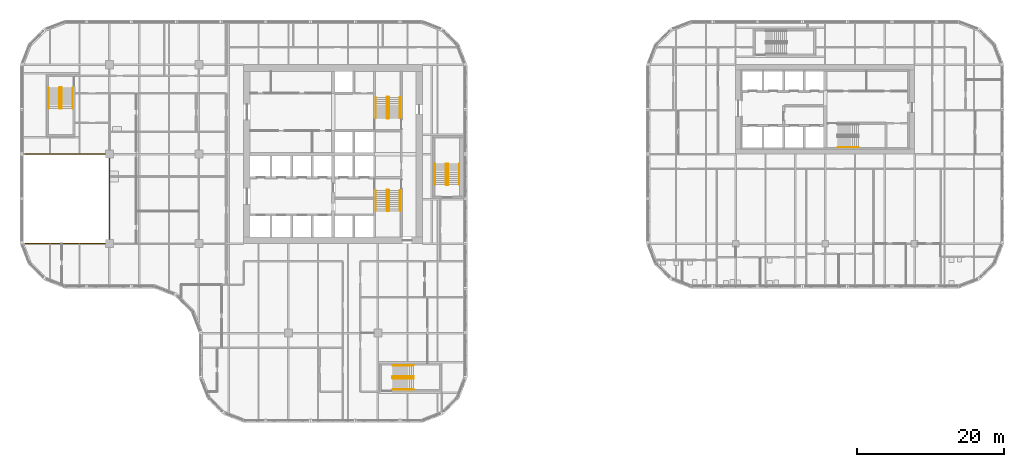
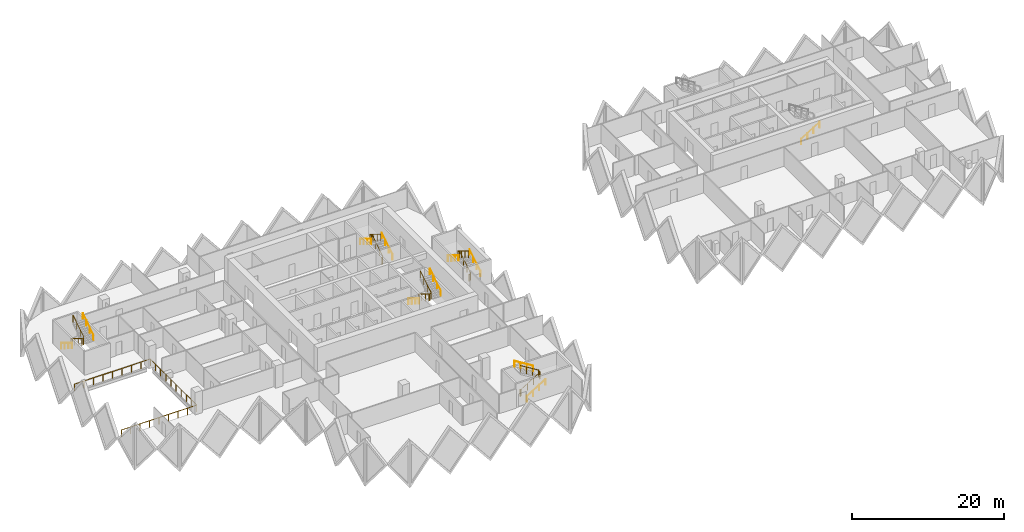
# One storey, part 18 of 20: 17 railings.
"""IFC4 building model written with IfcOpenShell, lengths in metres."""

import ifcopenshell
import ifcopenshell.guid

model = None  # the IFC model being written
_history = None  # IfcOwnerHistory: only IFC2X3 demands one
_inside = {}  # id of a spatial element -> (the spatial element, [elements in it])
_under = {}  # id of a project, library or spatial element -> (it, [spatial elements below it])
_declared = {}  # id of a project -> (the project, [libraries it declares])
_typed = {}  # id of a type object -> (the type object, [elements of that type])
_made_of = {}  # id of a material, layer set ... -> (it, [elements and type objects made of it])


def new_model(schema):
    """Start an empty IFC model of exactly this schema.

    Asked for "IFC4X3", IfcOpenShell would pick the latest addendum, in which some entities
    have other attributes; the version numbers below select the first issue.
    IFC2X3 requires an IfcOwnerHistory on every rooted entity: one is made here for all.
    """
    global model, _history
    if schema == "IFC4X3":
        model = ifcopenshell.file(schema_version=(4, 3, 0, 0))
    else:
        model = ifcopenshell.file(schema=schema)
    _inside.clear()
    _under.clear()
    _declared.clear()
    _typed.clear()
    _made_of.clear()
    _history = None
    if model.schema == "IFC2X3":
        org = make("IfcOrganization", Name="unknown")
        user = make(
            "IfcPersonAndOrganization",
            ThePerson=make("IfcPerson", FamilyName="unknown"),
            TheOrganization=org,
        )
        app = make(
            "IfcApplication",
            ApplicationDeveloper=org,
            Version="unknown",
            ApplicationFullName="unknown",
            ApplicationIdentifier="unknown",
        )
        _history = make(
            "IfcOwnerHistory",
            OwningUser=user,
            OwningApplication=app,
            ChangeAction="ADDED",
            CreationDate=0,
        )
    return model


def make(cls, **values):
    """One entity of the class cls with the attributes given. An attribute that is None is left unset."""
    return model.create_entity(
        cls, **{name: value for name, value in values.items() if value is not None}
    )


def rooted(cls, **values):
    """An entity with a GlobalId (a new one), such as an element, a storey or a relation."""
    return make(cls, GlobalId=ifcopenshell.guid.new(), OwnerHistory=_history, **values)


def si_unit(unit_type, name, prefix=None):
    """IfcSIUnit, for example si_unit("LENGTHUNIT", "METRE", prefix="MILLI")."""
    return make("IfcSIUnit", UnitType=unit_type, Prefix=prefix, Name=name)


def assignment(units):
    """IfcUnitAssignment: the units of a project."""
    return None if units is None else make("IfcUnitAssignment", Units=units)


def point(xyz):
    """IfcCartesianPoint."""
    return None if xyz is None else make("IfcCartesianPoint", Coordinates=xyz)


def direction(xyz):
    """IfcDirection."""
    return None if xyz is None else make("IfcDirection", DirectionRatios=xyz)


def frame(location, z_axis=None, x_axis=None):
    """IfcAxis2Placement3D, a coordinate frame: its origin and axes. An axis left out is left unset."""
    return make(
        "IfcAxis2Placement3D",
        Location=point(location),
        Axis=direction(z_axis),
        RefDirection=direction(x_axis),
    )


def frame_2d(location, x_axis=None):
    """IfcAxis2Placement2D, a coordinate frame in the plane: its origin and x axis."""
    return make(
        "IfcAxis2Placement2D", Location=point(location), RefDirection=direction(x_axis)
    )


def origin():
    """The frame at (0, 0, 0) with its axes left unset."""
    return frame((0.0, 0.0, 0.0))


def origin_2d():
    """The frame at (0, 0) in the plane with its x axis left unset."""
    return frame_2d((0.0, 0.0))


def place(relative_to, where):
    """IfcLocalPlacement: puts the frame where relative to a parent placement (None: the world)."""
    return make(
        "IfcLocalPlacement", PlacementRelTo=relative_to, RelativePlacement=where
    )


def context(
    kind, dimensions, precision=None, world=None, true_north=None, identifier=None
):
    """IfcGeometricRepresentationContext, for example the 3D "Model" context."""
    return make(
        "IfcGeometricRepresentationContext",
        ContextIdentifier=identifier,
        ContextType=kind,
        CoordinateSpaceDimension=dimensions,
        Precision=precision,
        WorldCoordinateSystem=world,
        TrueNorth=true_north,
    )


def subcontext(parent, identifier, kind, view, scale=None):
    """IfcGeometricRepresentationSubContext, for example "Body" below "Model"."""
    return make(
        "IfcGeometricRepresentationSubContext",
        ContextIdentifier=identifier,
        ContextType=kind,
        ParentContext=parent,
        TargetScale=scale,
        TargetView=view,
    )


def project(units=None, contexts=None):
    """IfcProject with its units and contexts."""
    return rooted(
        "IfcProject",
        Name="project",
        RepresentationContexts=contexts,
        UnitsInContext=assignment(units),
    )


def spatial(cls, under=None, at=None, **own):
    """A site, building, storey or space (cls), placed at a placement, below another one or the project."""
    s = rooted(cls, ObjectPlacement=at, **own)
    if under is not None:
        _under.setdefault(under.id(), (under, []))[1].append(s)
    return s


def profile(cls, at=None, kind="AREA", **sizes):
    """A parametric profile (cls). Its sizes go by their IFC names, for example OverallWidth=200.0."""
    return make(cls, ProfileType=kind, Position=at, **sizes)


def circle(**sizes):
    """IfcCircleProfileDef."""
    return profile("IfcCircleProfileDef", **sizes)


def extrude(swept, where, along, depth):
    """IfcExtrudedAreaSolid: the profile swept, set in the frame where, extruded along a direction by depth."""
    return make(
        "IfcExtrudedAreaSolid",
        SweptArea=swept,
        Position=where,
        ExtrudedDirection=direction(along),
        Depth=depth,
    )


def shape(context_of_items, identifier, shape_type, items):
    """IfcShapeRepresentation: the items that make up one representation, for example the "Body"."""
    return make(
        "IfcShapeRepresentation",
        ContextOfItems=context_of_items,
        RepresentationIdentifier=identifier,
        RepresentationType=shape_type,
        Items=items,
    )


def material(Name=None, Category=None):
    """IfcMaterial."""
    return make("IfcMaterial", Name=Name, Category=Category)


def made_of(thing, what):
    """Note that an element or type object is made of a material, layer set ...; save() writes the relation."""
    if what is not None:
        _made_of.setdefault(what.id(), (what, []))[1].append(thing)
    return thing


def type_object(cls, material=None, **own):
    """A type object (cls), such as IfcWallType, which elements share."""
    return made_of(rooted(cls, **own), material)


def element(
    cls,
    number,
    at=None,
    inside=None,
    cuts=None,
    type_object=None,
    material=None,
    context=None,
    identifier="Body",
    shape_type=None,
    held_by="IfcProductDefinitionShape",
    body=None,
    shapes=None,
    **own,
):
    """One element of the class cls, such as IfcWall. Its Tag is "e" and its number.

    at: its placement. inside: the storey or other place that contains it. cuts: it is an
    opening in that element (IfcRelVoidsElement). A single representation is given by context,
    identifier, shape_type and body (its items); several are given by shapes. held_by: the class
    of the entity that holds the representations. save() writes the other relations.
    """
    e = rooted(cls, Tag="e%d" % number, ObjectPlacement=at, **own)
    if body is not None:
        shapes = [shape(context, identifier, shape_type, body)]
    if shapes is not None:
        e.Representation = make(held_by, Representations=shapes)
    if inside is not None:
        _inside.setdefault(inside.id(), (inside, []))[1].append(e)
    if cuts is not None:
        rooted(
            "IfcRelVoidsElement", RelatingBuildingElement=cuts, RelatedOpeningElement=e
        )
    if type_object is not None:
        _typed.setdefault(type_object.id(), (type_object, []))[1].append(e)
    return made_of(e, material)


def aggregate(whole, parts):
    """IfcRelAggregates: a whole, such as a stair, and the parts it consists of."""
    return rooted("IfcRelAggregates", RelatingObject=whole, RelatedObjects=parts)


def save(model, path):
    """Write the relations noted so far, then the file.

    IfcRelAggregates (storeys below a building ...), IfcRelContainedInSpatialStructure (elements
    in a storey), IfcRelDefinesByType, IfcRelAssociatesMaterial and IfcRelDeclares: one each for
    every whole, place, type object, material and project.
    """
    for whole, parts in _under.values():
        aggregate(whole, parts)
    for where, things in _inside.values():
        rooted(
            "IfcRelContainedInSpatialStructure",
            RelatedElements=things,
            RelatingStructure=where,
        )
    for kind, things in _typed.values():
        rooted("IfcRelDefinesByType", RelatedObjects=things, RelatingType=kind)
    for what, things in _made_of.values():
        rooted("IfcRelAssociatesMaterial", RelatedObjects=things, RelatingMaterial=what)
    for by, libraries in _declared.values():
        rooted("IfcRelDeclares", RelatingContext=by, RelatedDefinitions=libraries)
    model.write(path)


model = new_model("IFC4")

# Units and contexts
model_context = context("Model", 3, precision=1e-05, world=origin(), true_north=direction((0.0, 1.0)))
body_context = subcontext(model_context, "Body", "Model", "MODEL_VIEW")
ifc_project = project(units=[si_unit("LENGTHUNIT", "METRE"), si_unit("AREAUNIT", "SQUARE_METRE"), si_unit("VOLUMEUNIT", "CUBIC_METRE"), si_unit("PLANEANGLEUNIT", "RADIAN"), si_unit("MASSUNIT", "GRAM", prefix="KILO")], contexts=[model_context])

# Site, building, storey
site_placement = place(None, origin())
site = spatial("IfcSite", under=ifc_project, at=site_placement, CompositionType="ELEMENT")
building_placement = place(site_placement, origin())
building = spatial("IfcBuilding", under=site, at=building_placement, Name="Tessera Gate Towers", CompositionType="ELEMENT")
storey_placement = place(building_placement, frame((0.0, 0.0, 48.60009765625)))
storey = spatial("IfcBuildingStorey", under=building, at=storey_placement, Name="L11", CompositionType="ELEMENT", Elevation=48.60009765625)

# Railings
ifc_material_1 = material(Name="Toughened glass with stainless steel handrail", Category="steel")
railing_type_1 = type_object("IfcRailingType", Name="GUARD 1100 GLASS BALUSTRADE", PredefinedType="GUARDRAIL", material=ifc_material_1)
railing_1_placement = place(storey_placement, frame((0.750244140625, 24.39990234375, 0.0)))
element("IfcRailing", 1, at=railing_1_placement, inside=storey, type_object=railing_type_1, Name="Guard", PredefinedType="GUARDRAIL", context=body_context, shape_type="SweptSolid", body=[
    extrude(circle(Radius=0.02490234375, at=origin_2d()), frame((0.0, 0.0, 1.0751953125), z_axis=(1.0, 0.0, 0.0), x_axis=(0.0, 1.0, 0.0)), (0.0, 0.0, 1.0), 11.44970703125),
    extrude(circle(Radius=0.02490234375, at=origin_2d()), frame((11.44970703125, 0.0, 1.0751953125), z_axis=(0.0, 1.0, 0.0), x_axis=(-1.0, 0.0, 0.0)), (0.0, 0.0, 1.0), 12.2001953125),
    extrude(circle(Radius=0.02490234375, at=origin_2d()), frame((11.44970703125, 12.2001953125, 1.0751953125), z_axis=(-1.0, 0.0, 0.0), x_axis=(0.0, -1.0, 0.0)), (0.0, 0.0, 1.0), 11.5),
    extrude(circle(Radius=0.02490234375, at=origin_2d()), origin(), (0.0, 0.0, 1.0), 1.050048828125),
    extrude(circle(Radius=0.02490234375, at=origin_2d()), frame((1.43115234375, 0.0, 0.0)), (0.0, 0.0, 1.0), 1.050048828125),
    extrude(circle(Radius=0.02490234375, at=origin_2d()), frame((2.8623046875, 0.0, 0.0)), (0.0, 0.0, 1.0), 1.050048828125),
    extrude(circle(Radius=0.02490234375, at=origin_2d()), frame((4.293701171875, 0.0, 0.0)), (0.0, 0.0, 1.0), 1.050048828125),
    extrude(circle(Radius=0.02490234375, at=origin_2d()), frame((5.724853515625, 0.0, 0.0)), (0.0, 0.0, 1.0), 1.050048828125),
    extrude(circle(Radius=0.02490234375, at=origin_2d()), frame((7.156005859375, 0.0, 0.0)), (0.0, 0.0, 1.0), 1.050048828125),
    extrude(circle(Radius=0.02490234375, at=origin_2d()), frame((8.58740234375, 0.0, 0.0)), (0.0, 0.0, 1.0), 1.050048828125),
    extrude(circle(Radius=0.02490234375, at=origin_2d()), frame((10.0185546875, 0.0, 0.0)), (0.0, 0.0, 1.0), 1.050048828125),
    extrude(circle(Radius=0.02490234375, at=origin_2d()), frame((11.44970703125, 0.0, 0.0)), (0.0, 0.0, 1.0), 1.050048828125),
    extrude(circle(Radius=0.02490234375, at=origin_2d()), frame((11.44970703125, 1.35546875, 0.0)), (0.0, 0.0, 1.0), 1.050048828125),
    extrude(circle(Radius=0.02490234375, at=origin_2d()), frame((11.44970703125, 2.711181640625, 0.0)), (0.0, 0.0, 1.0), 1.050048828125),
    extrude(circle(Radius=0.02490234375, at=origin_2d()), frame((11.44970703125, 4.066650390625, 0.0)), (0.0, 0.0, 1.0), 1.050048828125),
    extrude(circle(Radius=0.02490234375, at=origin_2d()), frame((11.44970703125, 5.42236328125, 0.0)), (0.0, 0.0, 1.0), 1.050048828125),
    extrude(circle(Radius=0.02490234375, at=origin_2d()), frame((11.44970703125, 6.77783203125, 0.0)), (0.0, 0.0, 1.0), 1.050048828125),
    extrude(circle(Radius=0.02490234375, at=origin_2d()), frame((11.44970703125, 8.133544921875, 0.0)), (0.0, 0.0, 1.0), 1.050048828125),
    extrude(circle(Radius=0.02490234375, at=origin_2d()), frame((11.44970703125, 9.489013671875, 0.0)), (0.0, 0.0, 1.0), 1.050048828125),
    extrude(circle(Radius=0.02490234375, at=origin_2d()), frame((11.44970703125, 10.8447265625, 0.0)), (0.0, 0.0, 1.0), 1.050048828125),
    extrude(circle(Radius=0.02490234375, at=origin_2d()), frame((11.44970703125, 12.2001953125, 0.0)), (0.0, 0.0, 1.0), 1.050048828125),
    extrude(circle(Radius=0.02490234375, at=origin_2d()), frame((10.01220703125, 12.2001953125, 0.0)), (0.0, 0.0, 1.0), 1.050048828125),
    extrude(circle(Radius=0.02490234375, at=origin_2d()), frame((8.57470703125, 12.2001953125, 0.0)), (0.0, 0.0, 1.0), 1.050048828125),
    extrude(circle(Radius=0.02490234375, at=origin_2d()), frame((7.13720703125, 12.2001953125, 0.0)), (0.0, 0.0, 1.0), 1.050048828125),
    extrude(circle(Radius=0.02490234375, at=origin_2d()), frame((5.69970703125, 12.2001953125, 0.0)), (0.0, 0.0, 1.0), 1.050048828125),
    extrude(circle(Radius=0.02490234375, at=origin_2d()), frame((4.26220703125, 12.2001953125, 0.0)), (0.0, 0.0, 1.0), 1.050048828125),
    extrude(circle(Radius=0.02490234375, at=origin_2d()), frame((2.82470703125, 12.2001953125, 0.0)), (0.0, 0.0, 1.0), 1.050048828125),
    extrude(circle(Radius=0.02490234375, at=origin_2d()), frame((1.38720703125, 12.2001953125, 0.0)), (0.0, 0.0, 1.0), 1.050048828125),
    extrude(circle(Radius=0.02490234375, at=origin_2d()), frame((-0.05029296875, 12.2001953125, 0.0)), (0.0, 0.0, 1.0), 1.050048828125),
])
ifc_material_2 = material(Name="Steel 350W", Category="steel")
railing_type_2 = type_object("IfcRailingType", Name="STAIR GUARD 1100", PredefinedType="GUARDRAIL", material=ifc_material_2)
railing_2_placement = place(storey_placement, frame((50.27490234375, 31.72509765625, 0.0)))
element("IfcRailing", 2, at=railing_2_placement, inside=storey, type_object=railing_type_2, Name="L11 ST1 stair guard 1", PredefinedType="GUARDRAIL", context=body_context, shape_type="SweptSolid", body=[
    extrude(circle(Radius=0.02392578125, at=origin_2d()), frame((0.0, 0.0, 1.076171875), z_axis=(-1.0, 0.0, 0.0), x_axis=(0.0, -1.0, 0.0)), (0.0, 0.0, 1.0), 0.199951171875),
    extrude(circle(Radius=0.02392578125, at=origin_2d()), frame((-0.199951171875, 0.0, 1.076171875), z_axis=(-0.268277960024, -0.268277960024, 0.925231793839), x_axis=(0.707106781187, -0.707106781187, 0.0)), (0.0, 0.0, 1.0), 0.1865234375),
    extrude(circle(Radius=0.02392578125, at=origin_2d()), frame((-0.25, -0.050048828125, 1.24853515625), z_axis=(0.0, -0.851089632645, 0.525020415988), x_axis=(1.0, 0.0, 0.0)), (0.0, 0.0, 1.0), 3.2900390625),
    extrude(circle(Radius=0.02392578125, at=origin_2d()), frame((-0.25, -2.85009765625, 2.97607421875), z_axis=(0.707106781187, -0.707106781187, 0.0), x_axis=(0.707106781187, 0.707106781187, 0.0)), (0.0, 0.0, 1.0), 0.07080078125),
    extrude(circle(Radius=0.02392578125, at=origin_2d()), frame((-0.199951171875, -2.900146484375, 2.97607421875), z_axis=(1.0, 0.0, 0.0), x_axis=(0.0, 1.0, 0.0)), (0.0, 0.0, 1.0), 0.199951171875),
    extrude(circle(Radius=0.02392578125, at=origin_2d()), frame((0.0, -2.900146484375, 2.97607421875), z_axis=(0.268277960024, 0.268277960024, 0.925231793839), x_axis=(-0.707106781187, 0.707106781187, 0.0)), (0.0, 0.0, 1.0), 0.1865234375),
    extrude(circle(Radius=0.02392578125, at=origin_2d()), frame((0.050048828125, -2.85009765625, 3.1484375), z_axis=(0.0, 0.851089632645, 0.525020415988), x_axis=(-1.0, 0.0, 0.0)), (0.0, 0.0, 1.0), 3.2900390625),
    extrude(circle(Radius=0.02099609375, at=origin_2d()), origin(), (0.0, 0.0, 1.0), 1.052001953125),
    extrude(circle(Radius=0.02099609375, at=origin_2d()), frame((-0.199951171875, 0.0, 0.0)), (0.0, 0.0, 1.0), 1.052001953125),
    extrude(circle(Radius=0.02099609375, at=origin_2d()), frame((-0.25, -0.050048828125, 0.172607421875)), (0.0, 0.0, 1.0), 1.052001953125),
    extrude(circle(Radius=0.02099609375, at=origin_2d()), frame((-0.25, -0.9833984375, 0.748291015625)), (0.0, 0.0, 1.0), 1.052001953125),
    extrude(circle(Radius=0.02099609375, at=origin_2d()), frame((-0.25, -1.916748046875, 1.32421875)), (0.0, 0.0, 1.0), 1.052001953125),
    extrude(circle(Radius=0.02099609375, at=origin_2d()), frame((-0.25, -2.85009765625, 1.89990234375)), (0.0, 0.0, 1.0), 1.052001953125),
    extrude(circle(Radius=0.02099609375, at=origin_2d()), frame((-0.199951171875, -2.900146484375, 1.89990234375)), (0.0, 0.0, 1.0), 1.052001953125),
    extrude(circle(Radius=0.02099609375, at=origin_2d()), frame((0.0, -2.900146484375, 1.89990234375)), (0.0, 0.0, 1.0), 1.052001953125),
    extrude(circle(Radius=0.02099609375, at=origin_2d()), frame((0.050048828125, -2.85009765625, 2.072509765625)), (0.0, 0.0, 1.0), 1.052001953125),
    extrude(circle(Radius=0.02099609375, at=origin_2d()), frame((0.050048828125, -1.916748046875, 2.648193359375)), (0.0, 0.0, 1.0), 1.052001953125),
    extrude(circle(Radius=0.02099609375, at=origin_2d()), frame((0.050048828125, -0.9833984375, 3.22412109375)), (0.0, 0.0, 1.0), 1.052001953125),
    extrude(circle(Radius=0.02099609375, at=origin_2d()), frame((0.050048828125, -0.050048828125, 3.7998046875)), (0.0, 0.0, 1.0), 1.052001953125),
])
railing_3_placement = place(storey_placement, frame((50.074951171875, 41.47509765625, 0.0)))
element("IfcRailing", 3, at=railing_3_placement, inside=storey, type_object=railing_type_2, Name="L11 ST2 stair guard 1", PredefinedType="GUARDRAIL", context=body_context, shape_type="SweptSolid", body=[
    extrude(circle(Radius=0.02392578125, at=origin_2d()), frame((0.0, 0.0, 1.076171875), z_axis=(1.0, 0.0, 0.0), x_axis=(0.0, 1.0, 0.0)), (0.0, 0.0, 1.0), 0.199951171875),
    extrude(circle(Radius=0.02392578125, at=origin_2d()), frame((0.199951171875, 0.0, 1.076171875), z_axis=(0.268371968888, 0.267062837333, 0.925556009775), x_axis=(-0.705375805398, 0.708833529934, 0.0)), (0.0, 0.0, 1.0), 0.1865234375),
    extrude(circle(Radius=0.02392578125, at=origin_2d()), frame((0.25, 0.0498046875, 1.24853515625), z_axis=(0.0, 0.851089632645, 0.525020415988), x_axis=(-1.0, 0.0, 0.0)), (0.0, 0.0, 1.0), 3.2900390625),
    extrude(circle(Radius=0.02392578125, at=origin_2d()), frame((0.25, 2.849853515625, 2.97607421875), z_axis=(-0.707106781187, 0.707106781187, 0.0), x_axis=(-0.707106781187, -0.707106781187, 0.0)), (0.0, 0.0, 1.0), 0.07080078125),
    extrude(circle(Radius=0.02392578125, at=origin_2d()), frame((0.199951171875, 2.89990234375, 2.97607421875), z_axis=(-1.0, 0.0, 0.0), x_axis=(0.0, -1.0, 0.0)), (0.0, 0.0, 1.0), 0.199951171875),
    extrude(circle(Radius=0.02392578125, at=origin_2d()), frame((0.0, 2.89990234375, 2.97607421875), z_axis=(-0.268277960024, -0.268277960024, 0.925231793839), x_axis=(0.707106781187, -0.707106781187, 0.0)), (0.0, 0.0, 1.0), 0.1865234375),
    extrude(circle(Radius=0.02392578125, at=origin_2d()), frame((-0.050048828125, 2.849853515625, 3.1484375), z_axis=(0.0, -0.851089632645, 0.525020415988), x_axis=(1.0, 0.0, 0.0)), (0.0, 0.0, 1.0), 3.2900390625),
    extrude(circle(Radius=0.02099609375, at=origin_2d()), origin(), (0.0, 0.0, 1.0), 1.052001953125),
    extrude(circle(Radius=0.02099609375, at=origin_2d()), frame((0.199951171875, 0.0, 0.0)), (0.0, 0.0, 1.0), 1.052001953125),
    extrude(circle(Radius=0.02099609375, at=origin_2d()), frame((0.25, 0.0498046875, 0.172607421875)), (0.0, 0.0, 1.0), 1.052001953125),
    extrude(circle(Radius=0.02099609375, at=origin_2d()), frame((0.25, 0.983154296875, 0.748291015625)), (0.0, 0.0, 1.0), 1.052001953125),
    extrude(circle(Radius=0.02099609375, at=origin_2d()), frame((0.25, 1.91650390625, 1.32421875)), (0.0, 0.0, 1.0), 1.052001953125),
    extrude(circle(Radius=0.02099609375, at=origin_2d()), frame((0.25, 2.849853515625, 1.89990234375)), (0.0, 0.0, 1.0), 1.052001953125),
    extrude(circle(Radius=0.02099609375, at=origin_2d()), frame((0.199951171875, 2.89990234375, 1.89990234375)), (0.0, 0.0, 1.0), 1.052001953125),
    extrude(circle(Radius=0.02099609375, at=origin_2d()), frame((0.0, 2.89990234375, 1.89990234375)), (0.0, 0.0, 1.0), 1.052001953125),
    extrude(circle(Radius=0.02099609375, at=origin_2d()), frame((-0.050048828125, 2.849853515625, 2.072509765625)), (0.0, 0.0, 1.0), 1.052001953125),
    extrude(circle(Radius=0.02099609375, at=origin_2d()), frame((-0.050048828125, 1.91650390625, 2.648193359375)), (0.0, 0.0, 1.0), 1.052001953125),
    extrude(circle(Radius=0.02099609375, at=origin_2d()), frame((-0.050048828125, 0.983154296875, 3.22412109375)), (0.0, 0.0, 1.0), 1.052001953125),
    extrude(circle(Radius=0.02099609375, at=origin_2d()), frame((-0.050048828125, 0.0498046875, 3.7998046875)), (0.0, 0.0, 1.0), 1.052001953125),
])
railing_4_placement = place(storey_placement, frame((5.64990234375, 45.699951171875, 0.0)))
element("IfcRailing", 4, at=railing_4_placement, inside=storey, type_object=railing_type_2, Name="L11 ST3 stair guard 1", PredefinedType="GUARDRAIL", context=body_context, shape_type="SweptSolid", body=[
    extrude(circle(Radius=0.02392578125, at=origin_2d()), frame((0.0, 0.0, 1.076171875), z_axis=(-1.0, 0.0, 0.0), x_axis=(0.0, -1.0, 0.0)), (0.0, 0.0, 1.0), 0.199951171875),
    extrude(circle(Radius=0.02392578125, at=origin_2d()), frame((-0.199951171875, 0.0, 1.076171875), z_axis=(-0.268277960024, -0.268277960024, 0.925231793839), x_axis=(0.707106781187, -0.707106781187, 0.0)), (0.0, 0.0, 1.0), 0.1865234375),
    extrude(circle(Radius=0.02392578125, at=origin_2d()), frame((-0.25, -0.050048828125, 1.24853515625), z_axis=(0.0, -0.851069175582, 0.525053576669), x_axis=(1.0, 0.0, 0.0)), (0.0, 0.0, 1.0), 3.289794921875),
    extrude(circle(Radius=0.02392578125, at=origin_2d()), frame((-0.25, -2.849853515625, 2.97607421875), z_axis=(0.707106781187, -0.707106781187, 0.0), x_axis=(0.707106781187, 0.707106781187, 0.0)), (0.0, 0.0, 1.0), 0.07080078125),
    extrude(circle(Radius=0.02392578125, at=origin_2d()), frame((-0.199951171875, -2.89990234375, 2.97607421875), z_axis=(1.0, 0.0, 0.0), x_axis=(0.0, 1.0, 0.0)), (0.0, 0.0, 1.0), 0.199951171875),
    extrude(circle(Radius=0.02392578125, at=origin_2d()), frame((0.0, -2.89990234375, 2.97607421875), z_axis=(0.268277960024, 0.268277960024, 0.925231793839), x_axis=(-0.707106781187, 0.707106781187, 0.0)), (0.0, 0.0, 1.0), 0.1865234375),
    extrude(circle(Radius=0.02392578125, at=origin_2d()), frame((0.050048828125, -2.849853515625, 3.1484375), z_axis=(0.0, 0.851069175582, 0.525053576669), x_axis=(-1.0, 0.0, 0.0)), (0.0, 0.0, 1.0), 3.289794921875),
    extrude(circle(Radius=0.02099609375, at=origin_2d()), origin(), (0.0, 0.0, 1.0), 1.052001953125),
    extrude(circle(Radius=0.02099609375, at=origin_2d()), frame((-0.199951171875, 0.0, 0.0)), (0.0, 0.0, 1.0), 1.052001953125),
    extrude(circle(Radius=0.02099609375, at=origin_2d()), frame((-0.25, -0.050048828125, 0.172607421875)), (0.0, 0.0, 1.0), 1.052001953125),
    extrude(circle(Radius=0.02099609375, at=origin_2d()), frame((-0.25, -0.9833984375, 0.748291015625)), (0.0, 0.0, 1.0), 1.052001953125),
    extrude(circle(Radius=0.02099609375, at=origin_2d()), frame((-0.25, -1.91650390625, 1.32421875)), (0.0, 0.0, 1.0), 1.052001953125),
    extrude(circle(Radius=0.02099609375, at=origin_2d()), frame((-0.25, -2.849853515625, 1.89990234375)), (0.0, 0.0, 1.0), 1.052001953125),
    extrude(circle(Radius=0.02099609375, at=origin_2d()), frame((-0.199951171875, -2.89990234375, 1.89990234375)), (0.0, 0.0, 1.0), 1.052001953125),
    extrude(circle(Radius=0.02099609375, at=origin_2d()), frame((0.0, -2.89990234375, 1.89990234375)), (0.0, 0.0, 1.0), 1.052001953125),
    extrude(circle(Radius=0.02099609375, at=origin_2d()), frame((0.050048828125, -2.849853515625, 2.072509765625)), (0.0, 0.0, 1.0), 1.052001953125),
    extrude(circle(Radius=0.02099609375, at=origin_2d()), frame((0.050048828125, -1.91650390625, 2.648193359375)), (0.0, 0.0, 1.0), 1.052001953125),
    extrude(circle(Radius=0.02099609375, at=origin_2d()), frame((0.050048828125, -0.9833984375, 3.22412109375)), (0.0, 0.0, 1.0), 1.052001953125),
    extrude(circle(Radius=0.02099609375, at=origin_2d()), frame((0.050048828125, -0.050048828125, 3.7998046875)), (0.0, 0.0, 1.0), 1.052001953125),
])
railing_5_placement = place(storey_placement, frame((50.800048828125, 6.25, 0.0)))
element("IfcRailing", 5, at=railing_5_placement, inside=storey, type_object=railing_type_2, Name="L11 ST4 stair guard 1", PredefinedType="GUARDRAIL", context=body_context, shape_type="SweptSolid", body=[
    extrude(circle(Radius=0.02392578125, at=origin_2d()), frame((0.0, 0.0, 1.076171875), z_axis=(0.0, -1.0, 0.0), x_axis=(1.0, 0.0, 0.0)), (0.0, 0.0, 1.0), 0.199951171875),
    extrude(circle(Radius=0.02392578125, at=origin_2d()), frame((0.0, -0.199951171875, 1.076171875), z_axis=(0.268277960024, -0.268277960024, 0.925231793839), x_axis=(0.707106781187, 0.707106781187, 0.0)), (0.0, 0.0, 1.0), 0.1865234375),
    extrude(circle(Radius=0.02392578125, at=origin_2d()), frame((0.050048828125, -0.25, 1.24853515625), z_axis=(0.851069175582, 0.0, 0.525053576669), x_axis=(0.0, 1.0, 0.0)), (0.0, 0.0, 1.0), 3.289794921875),
    extrude(circle(Radius=0.02392578125, at=origin_2d()), frame((2.849853515625, -0.25, 2.97607421875), z_axis=(0.707106781187, 0.707106781187, 0.0), x_axis=(-0.707106781187, 0.707106781187, 0.0)), (0.0, 0.0, 1.0), 0.07080078125),
    extrude(circle(Radius=0.02392578125, at=origin_2d()), frame((2.89990234375, -0.199951171875, 2.97607421875), z_axis=(0.0, 1.0, 0.0), x_axis=(-1.0, 0.0, 0.0)), (0.0, 0.0, 1.0), 0.199951171875),
    extrude(circle(Radius=0.02392578125, at=origin_2d()), frame((2.89990234375, 0.0, 2.97607421875), z_axis=(-0.268277960024, 0.268277960024, 0.925231793839), x_axis=(-0.707106781187, -0.707106781187, 0.0)), (0.0, 0.0, 1.0), 0.1865234375),
    extrude(circle(Radius=0.02392578125, at=origin_2d()), frame((2.849853515625, 0.050048828125, 3.1484375), z_axis=(-0.851069175582, 0.0, 0.525053576669), x_axis=(0.0, -1.0, 0.0)), (0.0, 0.0, 1.0), 3.289794921875),
    extrude(circle(Radius=0.02099609375, at=origin_2d()), origin(), (0.0, 0.0, 1.0), 1.052001953125),
    extrude(circle(Radius=0.02099609375, at=origin_2d()), frame((0.0, -0.199951171875, 0.0)), (0.0, 0.0, 1.0), 1.052001953125),
    extrude(circle(Radius=0.02099609375, at=origin_2d()), frame((0.050048828125, -0.25, 0.172607421875)), (0.0, 0.0, 1.0), 1.052001953125),
    extrude(circle(Radius=0.02099609375, at=origin_2d()), frame((0.9833984375, -0.25, 0.748291015625)), (0.0, 0.0, 1.0), 1.052001953125),
    extrude(circle(Radius=0.02099609375, at=origin_2d()), frame((1.91650390625, -0.25, 1.32421875)), (0.0, 0.0, 1.0), 1.052001953125),
    extrude(circle(Radius=0.02099609375, at=origin_2d()), frame((2.849853515625, -0.25, 1.89990234375)), (0.0, 0.0, 1.0), 1.052001953125),
    extrude(circle(Radius=0.02099609375, at=origin_2d()), frame((2.89990234375, -0.199951171875, 1.89990234375)), (0.0, 0.0, 1.0), 1.052001953125),
    extrude(circle(Radius=0.02099609375, at=origin_2d()), frame((2.89990234375, 0.0, 1.89990234375)), (0.0, 0.0, 1.0), 1.052001953125),
    extrude(circle(Radius=0.02099609375, at=origin_2d()), frame((2.849853515625, 0.050048828125, 2.072509765625)), (0.0, 0.0, 1.0), 1.052001953125),
    extrude(circle(Radius=0.02099609375, at=origin_2d()), frame((1.91650390625, 0.050048828125, 2.648193359375)), (0.0, 0.0, 1.0), 1.052001953125),
    extrude(circle(Radius=0.02099609375, at=origin_2d()), frame((0.9833984375, 0.050048828125, 3.22412109375)), (0.0, 0.0, 1.0), 1.052001953125),
    extrude(circle(Radius=0.02099609375, at=origin_2d()), frame((0.050048828125, 0.050048828125, 3.7998046875)), (0.0, 0.0, 1.0), 1.052001953125),
])
railing_6_placement = place(storey_placement, frame((58.14990234375, 32.39990234375, 0.0)))
element("IfcRailing", 6, at=railing_6_placement, inside=storey, type_object=railing_type_2, Name="L11 ST5 stair guard 1", PredefinedType="GUARDRAIL", context=body_context, shape_type="SweptSolid", body=[
    extrude(circle(Radius=0.02392578125, at=origin_2d()), frame((0.0, 0.0, 1.076171875), z_axis=(1.0, 0.0, 0.0), x_axis=(0.0, 1.0, 0.0)), (0.0, 0.0, 1.0), 0.2001953125),
    extrude(circle(Radius=0.02392578125, at=origin_2d()), frame((0.2001953125, 0.0, 1.076171875), z_axis=(0.267062837333, 0.268371968888, 0.925556009775), x_axis=(-0.708833529934, 0.705375805398, 0.0)), (0.0, 0.0, 1.0), 0.1865234375),
    extrude(circle(Radius=0.02392578125, at=origin_2d()), frame((0.25, 0.050048828125, 1.24853515625), z_axis=(0.0, 0.851089632645, 0.525020415988), x_axis=(-1.0, 0.0, 0.0)), (0.0, 0.0, 1.0), 3.2900390625),
    extrude(circle(Radius=0.02392578125, at=origin_2d()), frame((0.25, 2.85009765625, 2.97607421875), z_axis=(-0.705375805398, 0.708833529934, 0.0), x_axis=(-0.708833529934, -0.705375805398, 0.0)), (0.0, 0.0, 1.0), 0.070556640625),
    extrude(circle(Radius=0.02392578125, at=origin_2d()), frame((0.2001953125, 2.900146484375, 2.97607421875), z_axis=(-1.0, 0.0, 0.0), x_axis=(0.0, -1.0, 0.0)), (0.0, 0.0, 1.0), 0.2001953125),
    extrude(circle(Radius=0.02392578125, at=origin_2d()), frame((0.0, 2.900146484375, 2.97607421875), z_axis=(-0.267062837333, -0.268371968888, 0.925556009775), x_axis=(0.708833529934, -0.705375805398, 0.0)), (0.0, 0.0, 1.0), 0.1865234375),
    extrude(circle(Radius=0.02392578125, at=origin_2d()), frame((-0.0498046875, 2.85009765625, 3.1484375), z_axis=(0.0, -0.851089632645, 0.525020415988), x_axis=(1.0, 0.0, 0.0)), (0.0, 0.0, 1.0), 3.2900390625),
    extrude(circle(Radius=0.02099609375, at=origin_2d()), origin(), (0.0, 0.0, 1.0), 1.052001953125),
    extrude(circle(Radius=0.02099609375, at=origin_2d()), frame((0.2001953125, 0.0, 0.0)), (0.0, 0.0, 1.0), 1.052001953125),
    extrude(circle(Radius=0.02099609375, at=origin_2d()), frame((0.25, 0.050048828125, 0.172607421875)), (0.0, 0.0, 1.0), 1.052001953125),
    extrude(circle(Radius=0.02099609375, at=origin_2d()), frame((0.25, 0.9833984375, 0.748291015625)), (0.0, 0.0, 1.0), 1.052001953125),
    extrude(circle(Radius=0.02099609375, at=origin_2d()), frame((0.25, 1.916748046875, 1.32421875)), (0.0, 0.0, 1.0), 1.052001953125),
    extrude(circle(Radius=0.02099609375, at=origin_2d()), frame((0.25, 2.85009765625, 1.89990234375)), (0.0, 0.0, 1.0), 1.052001953125),
    extrude(circle(Radius=0.02099609375, at=origin_2d()), frame((0.2001953125, 2.900146484375, 1.89990234375)), (0.0, 0.0, 1.0), 1.052001953125),
    extrude(circle(Radius=0.02099609375, at=origin_2d()), frame((0.0, 2.900146484375, 1.89990234375)), (0.0, 0.0, 1.0), 1.052001953125),
    extrude(circle(Radius=0.02099609375, at=origin_2d()), frame((-0.0498046875, 2.85009765625, 2.072509765625)), (0.0, 0.0, 1.0), 1.052001953125),
    extrude(circle(Radius=0.02099609375, at=origin_2d()), frame((-0.0498046875, 1.916748046875, 2.648193359375)), (0.0, 0.0, 1.0), 1.052001953125),
    extrude(circle(Radius=0.02099609375, at=origin_2d()), frame((-0.0498046875, 0.9833984375, 3.22412109375)), (0.0, 0.0, 1.0), 1.052001953125),
    extrude(circle(Radius=0.02099609375, at=origin_2d()), frame((-0.0498046875, 0.050048828125, 3.7998046875)), (0.0, 0.0, 1.0), 1.052001953125),
])
ifc_material_3 = material(Name="Steel 350W", Category="steel")
railing_type_3 = type_object("IfcRailingType", Name="STAIR HANDRAIL 900", PredefinedType="HANDRAIL", material=ifc_material_3)
railing_7_placement = place(storey_placement, frame((48.52490234375, 31.675048828125, 0.172607421875)))
element("IfcRailing", 7, at=railing_7_placement, inside=storey, type_object=railing_type_3, Name="L11 ST1 stair handrail 1", PredefinedType="HANDRAIL", context=body_context, shape_type="SweptSolid", body=[
    extrude(circle(Radius=0.02392578125, at=origin_2d()), frame((0.0, 0.0, 0.8759765625), z_axis=(0.0, -0.851089632645, 0.525020415988), x_axis=(1.0, 0.0, 0.0)), (0.0, 0.0, 1.0), 3.2900390625),
    extrude(circle(Radius=0.02099609375, at=origin_2d()), origin(), (0.0, 0.0, 1.0), 0.851806640625),
    extrude(circle(Radius=0.02099609375, at=origin_2d()), frame((0.0, -0.933349609375, 0.57568359375)), (0.0, 0.0, 1.0), 0.851806640625),
    extrude(circle(Radius=0.02099609375, at=origin_2d()), frame((0.0, -1.86669921875, 1.151611328125)), (0.0, 0.0, 1.0), 0.851806640625),
    extrude(circle(Radius=0.02099609375, at=origin_2d()), frame((0.0, -2.800048828125, 1.727294921875)), (0.0, 0.0, 1.0), 0.851806640625),
])
for number, where, name in (
    (8, (51.824951171875, 28.875, 2.072509765625), "L11 ST1 stair handrail 2"),
    (9, (51.824951171875, 41.52490234375, 0.172607421875), "L11 ST2 stair handrail 1"),
):
    element("IfcRailing", number, at=place(storey_placement, frame(where)), inside=storey, type_object=railing_type_3, Name=name, PredefinedType="HANDRAIL", context=body_context, shape_type="SweptSolid", body=[
        extrude(circle(Radius=0.02392578125, at=origin_2d()), frame((0.0, 0.0, 0.8759765625), z_axis=(0.0, 0.851089632645, 0.525020415988), x_axis=(-1.0, 0.0, 0.0)), (0.0, 0.0, 1.0), 3.2900390625),
        extrude(circle(Radius=0.02099609375, at=origin_2d()), origin(), (0.0, 0.0, 1.0), 0.851806640625),
        extrude(circle(Radius=0.02099609375, at=origin_2d()), frame((0.0, 0.933349609375, 0.57568359375)), (0.0, 0.0, 1.0), 0.851806640625),
        extrude(circle(Radius=0.02099609375, at=origin_2d()), frame((0.0, 1.86669921875, 1.151611328125)), (0.0, 0.0, 1.0), 0.851806640625),
        extrude(circle(Radius=0.02099609375, at=origin_2d()), frame((0.0, 2.800048828125, 1.727294921875)), (0.0, 0.0, 1.0), 0.851806640625),
    ])
railing_8_placement = place(storey_placement, frame((48.52490234375, 44.324951171875, 2.072509765625)))
element("IfcRailing", 10, at=railing_8_placement, inside=storey, type_object=railing_type_3, Name="L11 ST2 stair handrail 2", PredefinedType="HANDRAIL", context=body_context, shape_type="SweptSolid", body=[
    extrude(circle(Radius=0.02392578125, at=origin_2d()), frame((0.0, 0.0, 0.8759765625), z_axis=(0.0, -0.851089632645, 0.525020415988), x_axis=(1.0, 0.0, 0.0)), (0.0, 0.0, 1.0), 3.2900390625),
    extrude(circle(Radius=0.02099609375, at=origin_2d()), origin(), (0.0, 0.0, 1.0), 0.851806640625),
    extrude(circle(Radius=0.02099609375, at=origin_2d()), frame((0.0, -0.933349609375, 0.57568359375)), (0.0, 0.0, 1.0), 0.851806640625),
    extrude(circle(Radius=0.02099609375, at=origin_2d()), frame((0.0, -1.86669921875, 1.151611328125)), (0.0, 0.0, 1.0), 0.851806640625),
    extrude(circle(Radius=0.02099609375, at=origin_2d()), frame((0.0, -2.800048828125, 1.727294921875)), (0.0, 0.0, 1.0), 0.851806640625),
])
railing_9_placement = place(storey_placement, frame((3.89990234375, 45.64990234375, 0.172607421875)))
element("IfcRailing", 11, at=railing_9_placement, inside=storey, type_object=railing_type_3, Name="L11 ST3 stair handrail 1", PredefinedType="HANDRAIL", context=body_context, shape_type="SweptSolid", body=[
    extrude(circle(Radius=0.02392578125, at=origin_2d()), frame((0.0, 0.0, 0.8759765625), z_axis=(0.0, -0.851069175582, 0.525053576669), x_axis=(1.0, 0.0, 0.0)), (0.0, 0.0, 1.0), 3.289794921875),
    extrude(circle(Radius=0.02099609375, at=origin_2d()), origin(), (0.0, 0.0, 1.0), 0.851806640625),
    extrude(circle(Radius=0.02099609375, at=origin_2d()), frame((0.0, -0.933349609375, 0.57568359375)), (0.0, 0.0, 1.0), 0.851806640625),
    extrude(circle(Radius=0.02099609375, at=origin_2d()), frame((0.0, -1.866455078125, 1.151611328125)), (0.0, 0.0, 1.0), 0.851806640625),
    extrude(circle(Radius=0.02099609375, at=origin_2d()), frame((0.0, -2.7998046875, 1.727294921875)), (0.0, 0.0, 1.0), 0.851806640625),
])
railing_10_placement = place(storey_placement, frame((7.199951171875, 42.85009765625, 2.072509765625)))
element("IfcRailing", 12, at=railing_10_placement, inside=storey, type_object=railing_type_3, Name="L11 ST3 stair handrail 2", PredefinedType="HANDRAIL", context=body_context, shape_type="SweptSolid", body=[
    extrude(circle(Radius=0.02392578125, at=origin_2d()), frame((0.0, 0.0, 0.8759765625), z_axis=(0.0, 0.851069175582, 0.525053576669), x_axis=(-1.0, 0.0, 0.0)), (0.0, 0.0, 1.0), 3.289794921875),
    extrude(circle(Radius=0.02099609375, at=origin_2d()), origin(), (0.0, 0.0, 1.0), 0.851806640625),
    extrude(circle(Radius=0.02099609375, at=origin_2d()), frame((0.0, 0.933349609375, 0.57568359375)), (0.0, 0.0, 1.0), 0.851806640625),
    extrude(circle(Radius=0.02099609375, at=origin_2d()), frame((0.0, 1.866455078125, 1.151611328125)), (0.0, 0.0, 1.0), 0.851806640625),
    extrude(circle(Radius=0.02099609375, at=origin_2d()), frame((0.0, 2.7998046875, 1.727294921875)), (0.0, 0.0, 1.0), 0.851806640625),
])
railing_11_placement = place(storey_placement, frame((50.85009765625, 4.5, 0.172607421875)))
element("IfcRailing", 13, at=railing_11_placement, inside=storey, type_object=railing_type_3, Name="L11 ST4 stair handrail 1", PredefinedType="HANDRAIL", context=body_context, shape_type="SweptSolid", body=[
    extrude(circle(Radius=0.02392578125, at=origin_2d()), frame((0.0, 0.0, 0.8759765625), z_axis=(0.851069175582, 0.0, 0.525053576669), x_axis=(0.0, 1.0, 0.0)), (0.0, 0.0, 1.0), 3.289794921875),
    extrude(circle(Radius=0.02099609375, at=origin_2d()), origin(), (0.0, 0.0, 1.0), 0.851806640625),
    extrude(circle(Radius=0.02099609375, at=origin_2d()), frame((0.933349609375, 0.0, 0.57568359375)), (0.0, 0.0, 1.0), 0.851806640625),
    extrude(circle(Radius=0.02099609375, at=origin_2d()), frame((1.866455078125, 0.0, 1.151611328125)), (0.0, 0.0, 1.0), 0.851806640625),
    extrude(circle(Radius=0.02099609375, at=origin_2d()), frame((2.7998046875, 0.0, 1.727294921875)), (0.0, 0.0, 1.0), 0.851806640625),
])
railing_12_placement = place(storey_placement, frame((53.64990234375, 7.800048828125, 2.072509765625)))
element("IfcRailing", 14, at=railing_12_placement, inside=storey, type_object=railing_type_3, Name="L11 ST4 stair handrail 2", PredefinedType="HANDRAIL", context=body_context, shape_type="SweptSolid", body=[
    extrude(circle(Radius=0.02392578125, at=origin_2d()), frame((0.0, 0.0, 0.8759765625), z_axis=(-0.851069175582, 0.0, 0.525053576669), x_axis=(0.0, -1.0, 0.0)), (0.0, 0.0, 1.0), 3.289794921875),
    extrude(circle(Radius=0.02099609375, at=origin_2d()), origin(), (0.0, 0.0, 1.0), 0.851806640625),
    extrude(circle(Radius=0.02099609375, at=origin_2d()), frame((-0.933349609375, 0.0, 0.57568359375)), (0.0, 0.0, 1.0), 0.851806640625),
    extrude(circle(Radius=0.02099609375, at=origin_2d()), frame((-1.866455078125, 0.0, 1.151611328125)), (0.0, 0.0, 1.0), 0.851806640625),
    extrude(circle(Radius=0.02099609375, at=origin_2d()), frame((-2.7998046875, 0.0, 1.727294921875)), (0.0, 0.0, 1.0), 0.851806640625),
])
railing_13_placement = place(storey_placement, frame((59.89990234375, 32.449951171875, 0.172607421875)))
element("IfcRailing", 15, at=railing_13_placement, inside=storey, type_object=railing_type_3, Name="L11 ST5 stair handrail 1", PredefinedType="HANDRAIL", context=body_context, shape_type="SweptSolid", body=[
    extrude(circle(Radius=0.02392578125, at=origin_2d()), frame((0.0, 0.0, 0.8759765625), z_axis=(0.0, 0.851089632645, 0.525020415988), x_axis=(-1.0, 0.0, 0.0)), (0.0, 0.0, 1.0), 3.2900390625),
    extrude(circle(Radius=0.02099609375, at=origin_2d()), origin(), (0.0, 0.0, 1.0), 0.851806640625),
    extrude(circle(Radius=0.02099609375, at=origin_2d()), frame((0.0, 0.933349609375, 0.57568359375)), (0.0, 0.0, 1.0), 0.851806640625),
    extrude(circle(Radius=0.02099609375, at=origin_2d()), frame((0.0, 1.86669921875, 1.151611328125)), (0.0, 0.0, 1.0), 0.851806640625),
    extrude(circle(Radius=0.02099609375, at=origin_2d()), frame((0.0, 2.800048828125, 1.727294921875)), (0.0, 0.0, 1.0), 0.851806640625),
])
railing_14_placement = place(storey_placement, frame((56.60009765625, 35.25, 2.072509765625)))
element("IfcRailing", 16, at=railing_14_placement, inside=storey, type_object=railing_type_3, Name="L11 ST5 stair handrail 2", PredefinedType="HANDRAIL", context=body_context, shape_type="SweptSolid", body=[
    extrude(circle(Radius=0.02392578125, at=origin_2d()), frame((0.0, 0.0, 0.8759765625), z_axis=(0.0, -0.851089632645, 0.525020415988), x_axis=(1.0, 0.0, 0.0)), (0.0, 0.0, 1.0), 3.2900390625),
    extrude(circle(Radius=0.02099609375, at=origin_2d()), origin(), (0.0, 0.0, 1.0), 0.851806640625),
    extrude(circle(Radius=0.02099609375, at=origin_2d()), frame((0.0, -0.933349609375, 0.57568359375)), (0.0, 0.0, 1.0), 0.851806640625),
    extrude(circle(Radius=0.02099609375, at=origin_2d()), frame((0.0, -1.86669921875, 1.151611328125)), (0.0, 0.0, 1.0), 0.851806640625),
    extrude(circle(Radius=0.02099609375, at=origin_2d()), frame((0.0, -2.800048828125, 1.727294921875)), (0.0, 0.0, 1.0), 0.851806640625),
])
railing_15_placement = place(storey_placement, frame((111.550048828125, 37.550048828125, 0.172607421875)))
element("IfcRailing", 17, at=railing_15_placement, inside=storey, type_object=railing_type_3, Name="L11 ST6 stair handrail 1", PredefinedType="HANDRAIL", context=body_context, shape_type="SweptSolid", body=[
    extrude(circle(Radius=0.02392578125, at=origin_2d()), frame((0.0, 0.0, 0.8759765625), z_axis=(0.851089632645, 0.0, 0.525020415988), x_axis=(0.0, 1.0, 0.0)), (0.0, 0.0, 1.0), 3.2900390625),
    extrude(circle(Radius=0.02099609375, at=origin_2d()), origin(), (0.0, 0.0, 1.0), 0.851806640625),
    extrude(circle(Radius=0.02099609375, at=origin_2d()), frame((0.933349609375, 0.0, 0.57568359375)), (0.0, 0.0, 1.0), 0.851806640625),
    extrude(circle(Radius=0.02099609375, at=origin_2d()), frame((1.86669921875, 0.0, 1.151611328125)), (0.0, 0.0, 1.0), 0.851806640625),
    extrude(circle(Radius=0.02099609375, at=origin_2d()), frame((2.800048828125, 0.0, 1.727294921875)), (0.0, 0.0, 1.0), 0.851806640625),
])

save(model, "model.ifc")
